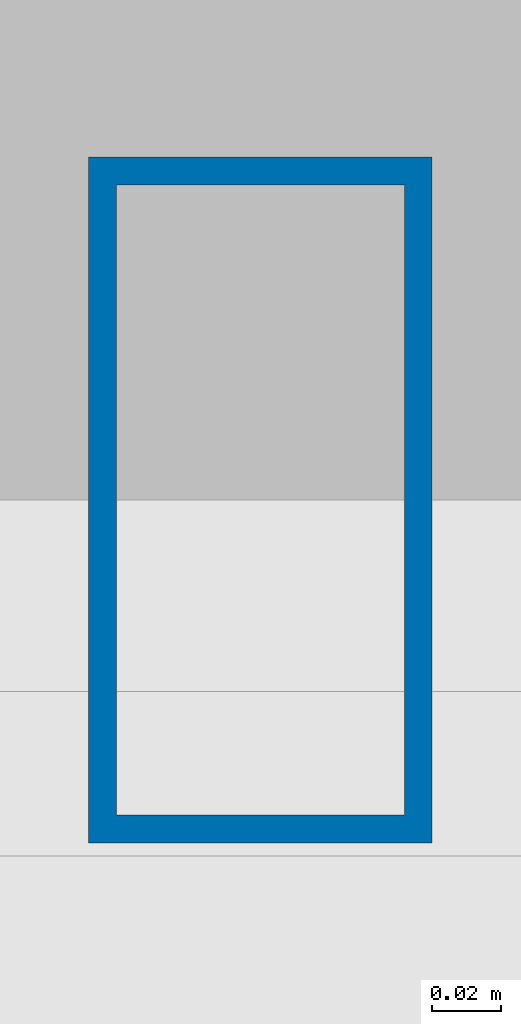
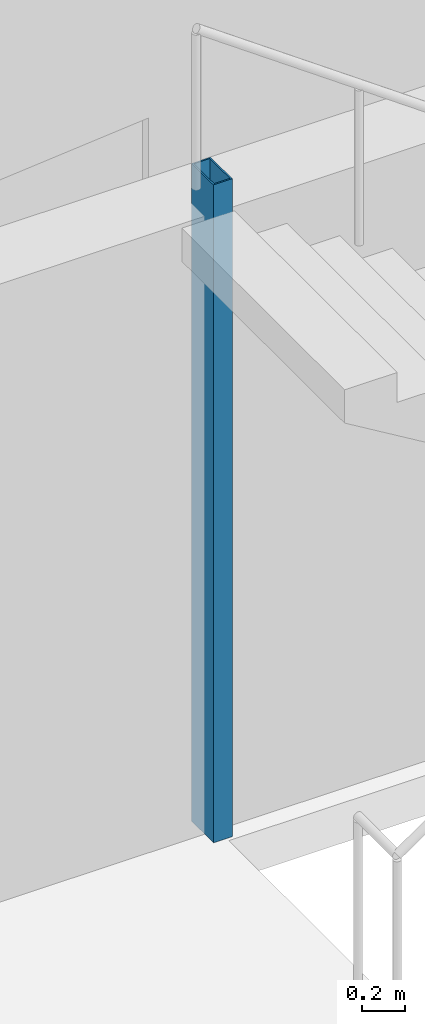
# One storey, part 2 of 18: 1 column.
"""IFC4 building model written with IfcOpenShell, lengths in metres."""

from ifc_helpers import new_model, si_unit, direction, frame, origin, origin_2d, place, context, subcontext, project, spatial, hollow_rectangle, extrude, material, material_profile, profile_set, type_object, element, save


model = new_model("IFC4")

# Units and contexts
model_context = context("Model", 3, precision=1e-05, world=origin(), true_north=direction((0.0, 1.0)))
body_context = subcontext(model_context, "Body", "Model", "MODEL_VIEW")
ifc_project = project(units=[si_unit("LENGTHUNIT", "METRE"), si_unit("AREAUNIT", "SQUARE_METRE"), si_unit("VOLUMEUNIT", "CUBIC_METRE"), si_unit("PLANEANGLEUNIT", "RADIAN"), si_unit("MASSUNIT", "GRAM", prefix="KILO")], contexts=[model_context])

# Site, building, storey
site_placement = place(None, origin())
site = spatial("IfcSite", under=ifc_project, at=site_placement, CompositionType="ELEMENT")
building_placement = place(site_placement, origin())
building = spatial("IfcBuilding", under=site, at=building_placement, Name="Menara Jurai Vektor", CompositionType="ELEMENT")
storey_placement = place(building_placement, frame((0.0, 0.0, 98.5)))
storey = spatial("IfcBuildingStorey", under=building, at=storey_placement, Name="L24", CompositionType="ELEMENT", Elevation=98.5)

# Column
ifc_material = material(Name="Steel S355", Category="steel")
ifc_material_profile = material_profile(ifc_material, hollow_rectangle(XDim=0.10009765625, YDim=0.199951171875, WallThickness=0.008056640625, at=origin_2d()), Name="RHS 200x100x8")
ifc_profile_set = profile_set([ifc_material_profile], Name="Steel S355")
column_type = type_object("IfcColumnType", Name="STR-COL-STAIR", PredefinedType="COLUMN", material=ifc_profile_set)
column_placement = place(storey_placement, frame((-11.1201171875, 5.419921875, 0.0), z_axis=(0.0, 0.0, 1.0), x_axis=(1.0, 0.0, 0.0)))
element("IfcColumn", 1, at=column_placement, inside=storey, type_object=column_type, Name="Stair Well Header Column ST1-P2 L24", PredefinedType="COLUMN", context=body_context, shape_type="SweptSolid", body=[
    extrude(hollow_rectangle(XDim=0.10009765625, YDim=0.199951171875, WallThickness=0.008056640625, at=origin_2d()), origin(), (0.0, 0.0, 1.0), 3.699951171875),
])

save(model, "model.ifc")
